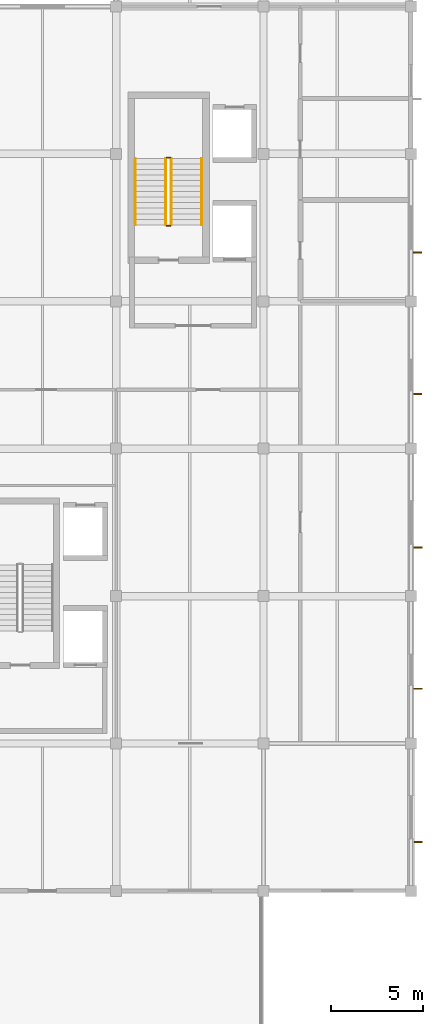
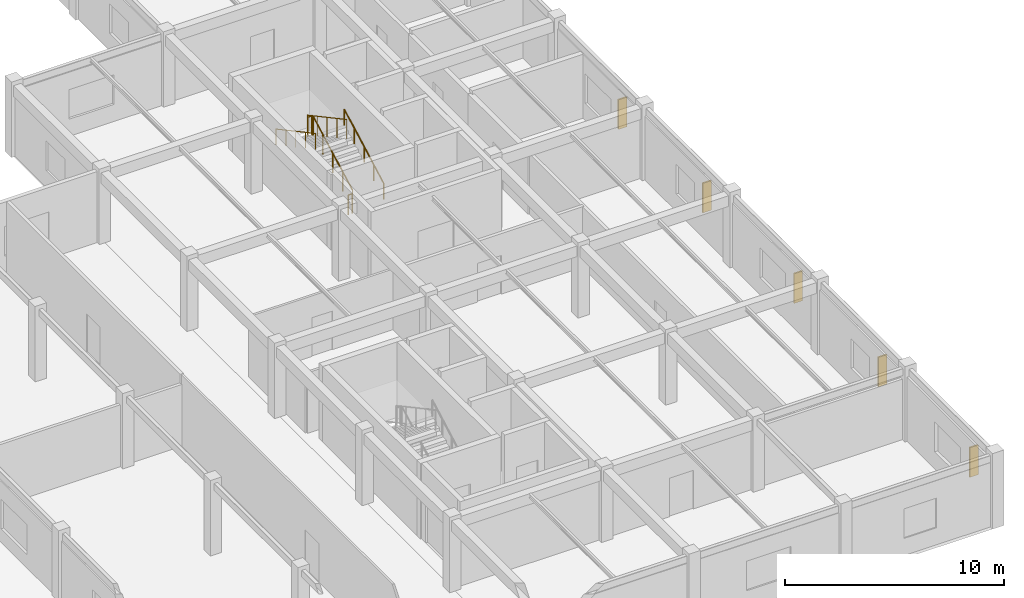
# One storey, part 26 of 27: 6 railings, 5 shading devices.
"""IFC4 building model written with IfcOpenShell, lengths in metres."""

from ifc_helpers import new_model, si_unit, direction, frame, origin, origin_2d, place, context, subcontext, project, spatial, rectangle, circle, extrude, material, type_object, element, save


model = new_model("IFC4")

# Units and contexts
model_context = context("Model", 3, precision=1e-05, world=origin(), true_north=direction((0.0, 1.0)))
body_context = subcontext(model_context, "Body", "Model", "MODEL_VIEW")
ifc_project = project(units=[si_unit("LENGTHUNIT", "METRE"), si_unit("AREAUNIT", "SQUARE_METRE"), si_unit("VOLUMEUNIT", "CUBIC_METRE"), si_unit("PLANEANGLEUNIT", "RADIAN"), si_unit("MASSUNIT", "GRAM", prefix="KILO")], contexts=[model_context])

# Site, building, storey
site_placement = place(None, origin())
site = spatial("IfcSite", under=ifc_project, at=site_placement, CompositionType="ELEMENT")
building_placement = place(site_placement, origin())
building = spatial("IfcBuilding", under=site, at=building_placement, Name="Kenh Van Central Station", CompositionType="ELEMENT")
storey_placement = place(building_placement, frame((0.0, 0.0, 19.199951171875)))
storey = spatial("IfcBuildingStorey", under=building, at=storey_placement, Name="L04", CompositionType="ELEMENT", Elevation=19.199951171875)

# Railings
ifc_material_1 = material(Name="Champagne anodised aluminium", Category="aluminium")
railing_type_1 = type_object("IfcRailingType", Name="RAIL-CORE-GRD110", PredefinedType="GUARDRAIL", material=ifc_material_1)
railing_1_placement = place(storey_placement, frame((163.0, 52.14990234375, 0.16162109375)))
element("IfcRailing", 1, at=railing_1_placement, inside=storey, type_object=railing_type_1, Name="L04 ST-10 stair guard 1", PredefinedType="GUARDRAIL", context=body_context, shape_type="SweptSolid", body=[
    extrude(circle(Radius=0.02392578125, at=origin_2d()), frame((0.0, 0.0, 1.076171875), z_axis=(0.0, 0.880474934443, 0.474092701714), x_axis=(-1.0, 0.0, 0.0)), (0.0, 0.0, 1.0), 4.0888671875),
    extrude(circle(Radius=0.02099609375, at=origin_2d()), origin(), (0.0, 0.0, 1.0), 1.052001953125),
    extrude(circle(Radius=0.02099609375, at=origin_2d()), frame((0.0, 0.89990234375, 0.484619140625)), (0.0, 0.0, 1.0), 1.052001953125),
    extrude(circle(Radius=0.02099609375, at=origin_2d()), frame((0.0, 1.800048828125, 0.96923828125)), (0.0, 0.0, 1.0), 1.052001953125),
    extrude(circle(Radius=0.02099609375, at=origin_2d()), frame((0.0, 2.7001953125, 1.453857421875)), (0.0, 0.0, 1.0), 1.052001953125),
    extrude(circle(Radius=0.02099609375, at=origin_2d()), frame((0.0, 3.60009765625, 1.9384765625)), (0.0, 0.0, 1.0), 1.052001953125),
])
railing_2_placement = place(storey_placement, frame((162.949951171875, 55.800048828125, 2.10009765625)))
element("IfcRailing", 2, at=railing_2_placement, inside=storey, type_object=railing_type_1, Name="L04 ST-10 stair guard 2", PredefinedType="GUARDRAIL", context=body_context, shape_type="SweptSolid", body=[
    extrude(circle(Radius=0.02392578125, at=origin_2d()), frame((0.0, 0.0, 1.076171875), z_axis=(-1.0, 0.0, 0.0), x_axis=(0.0, -1.0, 0.0)), (0.0, 0.0, 1.0), 0.199951171875),
    extrude(circle(Radius=0.02099609375, at=origin_2d()), origin(), (0.0, 0.0, 1.0), 1.052001953125),
    extrude(circle(Radius=0.02099609375, at=origin_2d()), frame((-0.199951171875, 0.0, 0.0)), (0.0, 0.0, 1.0), 1.052001953125),
])
railing_3_placement = place(storey_placement, frame((162.699951171875, 55.75, 2.261474609375)))
element("IfcRailing", 3, at=railing_3_placement, inside=storey, type_object=railing_type_1, Name="L04 ST-10 stair guard 3", PredefinedType="GUARDRAIL", context=body_context, shape_type="SweptSolid", body=[
    extrude(circle(Radius=0.02392578125, at=origin_2d()), frame((0.0, 0.0, 1.076171875), z_axis=(0.0, -0.880474934443, 0.474092701714), x_axis=(1.0, 0.0, 0.0)), (0.0, 0.0, 1.0), 4.0888671875),
    extrude(circle(Radius=0.02099609375, at=origin_2d()), origin(), (0.0, 0.0, 1.0), 1.052001953125),
    extrude(circle(Radius=0.02099609375, at=origin_2d()), frame((0.0, -0.89990234375, 0.484619140625)), (0.0, 0.0, 1.0), 1.052001953125),
    extrude(circle(Radius=0.02099609375, at=origin_2d()), frame((0.0, -1.800048828125, 0.96923828125)), (0.0, 0.0, 1.0), 1.052001953125),
    extrude(circle(Radius=0.02099609375, at=origin_2d()), frame((0.0, -2.7001953125, 1.453857421875)), (0.0, 0.0, 1.0), 1.052001953125),
    extrude(circle(Radius=0.02099609375, at=origin_2d()), frame((0.0, -3.60009765625, 1.9384765625)), (0.0, 0.0, 1.0), 1.052001953125),
])
railing_4_placement = place(storey_placement, frame((162.949951171875, 52.10009765625, 0.0)))
element("IfcRailing", 4, at=railing_4_placement, inside=storey, type_object=railing_type_1, Name="L04 ST-10 stair guard 4", PredefinedType="GUARDRAIL", context=body_context, shape_type="SweptSolid", body=[
    extrude(circle(Radius=0.02392578125, at=origin_2d()), frame((0.0, 0.0, 1.076171875), z_axis=(-1.0, 0.0, 0.0), x_axis=(0.0, -1.0, 0.0)), (0.0, 0.0, 1.0), 0.199951171875),
    extrude(circle(Radius=0.02099609375, at=origin_2d()), origin(), (0.0, 0.0, 1.0), 1.052001953125),
    extrude(circle(Radius=0.02099609375, at=origin_2d()), frame((-0.199951171875, 0.0, 0.0)), (0.0, 0.0, 1.0), 1.052001953125),
])
railing_type_2 = type_object("IfcRailingType", Name="RAIL-CORE-HND90", PredefinedType="HANDRAIL", material=ifc_material_1)
railing_5_placement = place(storey_placement, frame((164.64990234375, 52.14990234375, 0.16162109375)))
element("IfcRailing", 5, at=railing_5_placement, inside=storey, type_object=railing_type_2, Name="L04 ST-10 stair handrail 1", PredefinedType="HANDRAIL", context=body_context, shape_type="SweptSolid", body=[
    extrude(circle(Radius=0.02392578125, at=origin_2d()), frame((0.0, 0.0, 0.8759765625), z_axis=(0.0, 0.880474934443, 0.474092701714), x_axis=(-1.0, 0.0, 0.0)), (0.0, 0.0, 1.0), 4.0888671875),
    extrude(circle(Radius=0.02099609375, at=origin_2d()), origin(), (0.0, 0.0, 1.0), 0.851806640625),
    extrude(circle(Radius=0.02099609375, at=origin_2d()), frame((0.0, 0.89990234375, 0.484619140625)), (0.0, 0.0, 1.0), 0.851806640625),
    extrude(circle(Radius=0.02099609375, at=origin_2d()), frame((0.0, 1.800048828125, 0.96923828125)), (0.0, 0.0, 1.0), 0.851806640625),
    extrude(circle(Radius=0.02099609375, at=origin_2d()), frame((0.0, 2.7001953125, 1.453857421875)), (0.0, 0.0, 1.0), 0.851806640625),
    extrude(circle(Radius=0.02099609375, at=origin_2d()), frame((0.0, 3.60009765625, 1.9384765625)), (0.0, 0.0, 1.0), 0.851806640625),
])
railing_6_placement = place(storey_placement, frame((161.050048828125, 55.75, 2.261474609375)))
element("IfcRailing", 6, at=railing_6_placement, inside=storey, type_object=railing_type_2, Name="L04 ST-10 stair handrail 2", PredefinedType="HANDRAIL", context=body_context, shape_type="SweptSolid", body=[
    extrude(circle(Radius=0.02392578125, at=origin_2d()), frame((0.0, 0.0, 0.8759765625), z_axis=(0.0, -0.880474934443, 0.474092701714), x_axis=(1.0, 0.0, 0.0)), (0.0, 0.0, 1.0), 4.0888671875),
    extrude(circle(Radius=0.02099609375, at=origin_2d()), origin(), (0.0, 0.0, 1.0), 0.851806640625),
    extrude(circle(Radius=0.02099609375, at=origin_2d()), frame((0.0, -0.89990234375, 0.484619140625)), (0.0, 0.0, 1.0), 0.851806640625),
    extrude(circle(Radius=0.02099609375, at=origin_2d()), frame((0.0, -1.800048828125, 0.96923828125)), (0.0, 0.0, 1.0), 0.851806640625),
    extrude(circle(Radius=0.02099609375, at=origin_2d()), frame((0.0, -2.7001953125, 1.453857421875)), (0.0, 0.0, 1.0), 0.851806640625),
    extrude(circle(Radius=0.02099609375, at=origin_2d()), frame((0.0, -3.60009765625, 1.9384765625)), (0.0, 0.0, 1.0), 0.851806640625),
])

# Shading devices
ifc_material_2 = material(Name="Precast concrete C40/50", Category="concrete")
shading_device_type = type_object("IfcShadingDeviceType", Name="SHD-FIN-SHT", PredefinedType="SHUTTER", material=ifc_material_2)
for number, where, z_axis, x_axis, name in (
    (7, (176.405029296875, 18.64501953125, 0.9501953125), (0.0, 0.0, 1.0), (1.0, 0.0, 0.0), "L04 vertical brise-soleil fin 026"),
    (8, (176.389892578125, 26.969970703125, 0.9501953125), (0.0, 0.0, 1.0), (1.0, 0.0, 0.0), "L04 vertical brise-soleil fin 027"),
    (9, (176.3798828125, 34.64501953125, 0.9501953125), (0.0, 0.0, 1.0), (1.0, 0.0, 0.0), "L04 vertical brise-soleil fin 028"),
    (10, (176.3701171875, 42.969970703125, 0.9501953125), (0.0, 0.0, 1.0), (1.0, 0.0, 0.0), "L04 vertical brise-soleil fin 029"),
    (11, (176.360107421875, 50.64501953125, 0.9501953125), (0.0, 0.0, 1.0), (1.0, 0.0, 0.0), "L04 vertical brise-soleil fin 030"),
):
    element("IfcShadingDevice", number, at=place(storey_placement, frame(where, z_axis=z_axis, x_axis=x_axis)), inside=storey, type_object=shading_device_type, Name=name, PredefinedType="SHUTTER", context=body_context, shape_type="SweptSolid", body=[
        extrude(rectangle(XDim=0.449951171875, YDim=0.080078125, at=origin_2d()), origin(), (0.0, 0.0, 1.0), 1.64990234375),
    ])

save(model, "model.ifc")
